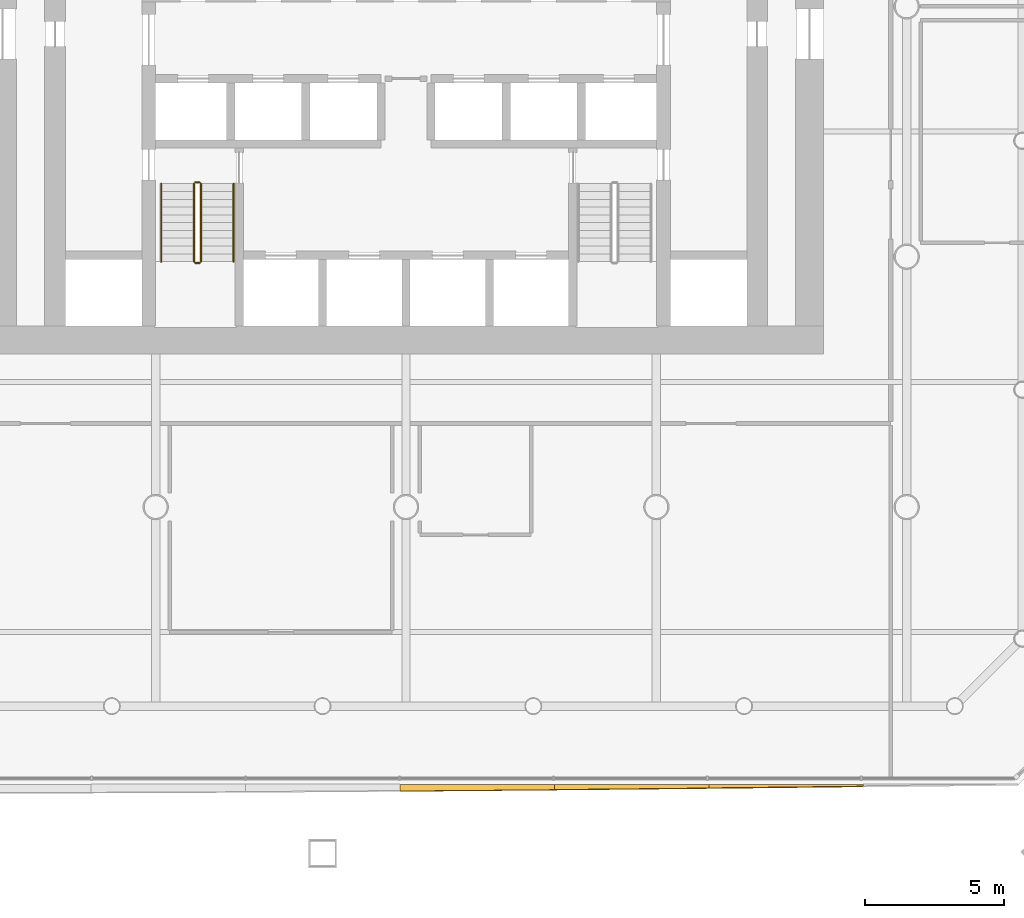
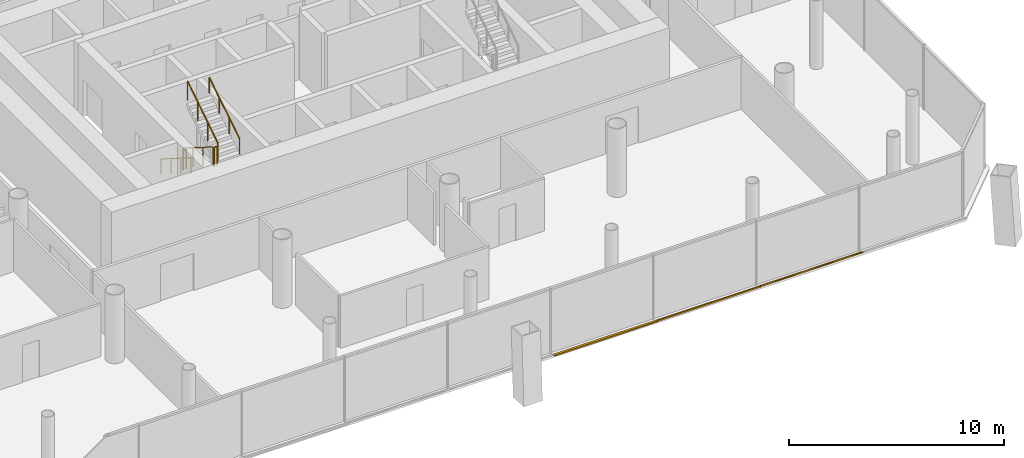
# One storey, part 19 of 22: 6 railings, 3 shading devices.
"""IFC4 building model written with IfcOpenShell, lengths in metres."""

from ifc_helpers import new_model, si_unit, direction, frame, origin, origin_2d, place, context, subcontext, project, spatial, polyline, circle, outline, extrude, material, layer, layer_set, type_object, element, save


model = new_model("IFC4")

# Units and contexts
model_context = context("Model", 3, precision=1e-05, world=origin(), true_north=direction((0.0, 1.0)))
body_context = subcontext(model_context, "Body", "Model", "MODEL_VIEW")
ifc_project = project(units=[si_unit("LENGTHUNIT", "METRE"), si_unit("AREAUNIT", "SQUARE_METRE"), si_unit("VOLUMEUNIT", "CUBIC_METRE"), si_unit("PLANEANGLEUNIT", "RADIAN"), si_unit("MASSUNIT", "GRAM", prefix="KILO")], contexts=[model_context])

# Site, building, storey
site_placement = place(None, origin())
site = spatial("IfcSite", under=ifc_project, at=site_placement, CompositionType="ELEMENT")
building_placement = place(site_placement, origin())
building = spatial("IfcBuilding", under=site, at=building_placement, Name="Tskaro Facet Tower", CompositionType="ELEMENT")
storey_placement = place(building_placement, frame((0.0, 0.0, 18.60009765625)))
storey = spatial("IfcBuildingStorey", under=building, at=storey_placement, Name="L03", CompositionType="ELEMENT", Elevation=18.60009765625)

# Shading devices
ifc_material_1 = material(Name="Bronze anodised aluminium 6063-T6", Category="aluminium")
ifc_layer = layer(ifc_material_1, 0.06005859375, Name="Bronze anodised aluminium 6063-T6")
ifc_layer_set = layer_set([ifc_layer], Name="Bronze anodised aluminium 6063-T6")
shading_device_type = type_object("IfcShadingDeviceType", Name="Bronze sun blade (FN1)", PredefinedType="USERDEFINED", material=ifc_layer_set)
shading_device_1_placement = place(storey_placement, frame((-0.22216796875, -27.9794921875, 0.056396484375), z_axis=(-3.31219e-06, 0.341654066702, 0.939825781033), x_axis=(0.999999999995, 1.131623e-06, 3.112882e-06)))
element("IfcShadingDevice", 1, at=shading_device_1_placement, inside=storey, type_object=shading_device_type, Name="Fin blade south 6", ObjectType="FIN", PredefinedType="USERDEFINED", context=body_context, shape_type="SweptSolid", body=[
    extrude(outline(polyline([(0.0, 0.0), (5.555419921844527, 0.0), (5.555419921905474, -0.19431630624030344), (4.8610839840659565, -0.2010327019696337), (4.166503906361419, -0.20783250933634292), (3.4721679687981757, -0.21431945541209935), (2.7778320312349325, -0.2208064014878558), (2.083251953322965, -0.22706389791003842), (1.3889160155522913, -0.23300853304126823), (0.6943359374328939, -0.2387237185189242), (-6.150489530071431e-11, -0.2444389039965802), (0.0, 0.0)])), origin(), (0.0, 0.0, -1.0), 0.06005859375),
])
shading_device_2_placement = place(storey_placement, frame((5.333251953125, -27.974609375, 0.05419921875), z_axis=(9.3866e-08, 0.423021886928, 0.906119464077), x_axis=(1.0, -3.9707e-08, -8.5054e-08)))
element("IfcShadingDevice", 2, at=shading_device_2_placement, inside=storey, type_object=shading_device_type, Name="Fin blade south 7", ObjectType="FIN", PredefinedType="USERDEFINED", context=body_context, shape_type="SweptSolid", body=[
    extrude(outline(polyline([(0.0, 0.0), (5.555664062499976, 0.0), (5.5556640625061045, -0.13980646935857793), (4.8610839843701505, -0.14821345951734713), (4.16674804688134, -0.15597145487582076), (3.4724121093814566, -0.1640539476344422), (2.77783203124688, -0.1719152198207791), (2.0834960937483737, -0.1794519946069682), (1.3889160156248677, -0.1869887693931573), (0.6945800781166672, -0.1943043236070619), (4.232196421260955e-12, -0.2015166009931032), (0.0, 0.0)])), origin(), (0.0, 0.0, -1.0), 0.06005859375),
])
shading_device_3_placement = place(storey_placement, frame((10.888916015625, -27.969970703125, 0.0517578125), z_axis=(-7.958684e-06, 0.500771247178, 0.865579665852), x_axis=(0.999999999968, 3.98548e-06, 6.888875e-06)))
element("IfcShadingDevice", 3, at=shading_device_3_placement, inside=storey, type_object=shading_device_type, Name="Fin blade south 8", ObjectType="FIN", PredefinedType="USERDEFINED", context=body_context, shape_type="SweptSolid", body=[
    extrude(outline(polyline([(0.0, 0.0), (5.555419921699058, 0.0), (5.5554199218819305, -0.07503978593549236), (4.8610839842495706, -0.08433636373595714), (4.166748047590228, -0.09342161837580687), (3.472167968624038, -0.1023846144103846), (2.7778320302828416, -0.11134761044496233), (2.0832519529985065, -0.12043286508481205), (1.3889160156303273, -0.12918453795877471), (0.6943359376371557, -0.1379362108327374), (-4.398601599493518e-10, -0.146354301940813), (0.0, 0.0)])), origin(), (0.0, 0.0, -1.0), 0.06005859375),
])

# Railings
ifc_material_2 = material(Name="Stainless steel", Category="steel")
railing_type_1 = type_object("IfcRailingType", Name="RL-GUARD-1100", PredefinedType="GUARDRAIL", material=ifc_material_2)
railing_1_placement = place(storey_placement, frame((-7.625, -6.375, 0.17724609375)))
element("IfcRailing", 4, at=railing_1_placement, inside=storey, type_object=railing_type_1, Name="L03 ST-1 stair guard 1", PredefinedType="GUARDRAIL", context=body_context, shape_type="SweptSolid", body=[
    extrude(circle(Radius=0.02392578125, at=origin_2d()), frame((0.0, 0.0, 1.076171875), z_axis=(0.0, -0.844908973607, 0.534910110503), x_axis=(1.0, 0.0, 0.0)), (0.0, 0.0, 1.0), 3.31396484375),
    extrude(circle(Radius=0.02099609375, at=origin_2d()), origin(), (0.0, 0.0, 1.0), 1.052001953125),
    extrude(circle(Radius=0.02099609375, at=origin_2d()), frame((0.0, -0.933349609375, 0.5908203125)), (0.0, 0.0, 1.0), 1.052001953125),
    extrude(circle(Radius=0.02099609375, at=origin_2d()), frame((0.0, -1.86669921875, 1.181884765625)), (0.0, 0.0, 1.0), 1.052001953125),
    extrude(circle(Radius=0.02099609375, at=origin_2d()), frame((0.0, -2.800048828125, 1.772705078125)), (0.0, 0.0, 1.0), 1.052001953125),
])
railing_2_placement = place(storey_placement, frame((-7.574951171875, -9.22509765625, 1.949951171875)))
element("IfcRailing", 5, at=railing_2_placement, inside=storey, type_object=railing_type_1, Name="L03 ST-1 stair guard 2", PredefinedType="GUARDRAIL", context=body_context, shape_type="SweptSolid", body=[
    extrude(circle(Radius=0.02392578125, at=origin_2d()), frame((0.0, 0.0, 1.076171875), z_axis=(1.0, 0.0, 0.0), x_axis=(0.0, 1.0, 0.0)), (0.0, 0.0, 1.0), 0.14990234375),
    extrude(circle(Radius=0.02099609375, at=origin_2d()), origin(), (0.0, 0.0, 1.0), 1.052001953125),
    extrude(circle(Radius=0.02099609375, at=origin_2d()), frame((0.14990234375, 0.0, 0.0)), (0.0, 0.0, 1.0), 1.052001953125),
])
railing_3_placement = place(storey_placement, frame((-7.375, -9.175048828125, 2.127197265625)))
element("IfcRailing", 6, at=railing_3_placement, inside=storey, type_object=railing_type_1, Name="L03 ST-1 stair guard 3", PredefinedType="GUARDRAIL", context=body_context, shape_type="SweptSolid", body=[
    extrude(circle(Radius=0.02392578125, at=origin_2d()), frame((0.0, 0.0, 1.076171875), z_axis=(0.0, 0.844908973607, 0.534910110503), x_axis=(-1.0, 0.0, 0.0)), (0.0, 0.0, 1.0), 3.31396484375),
    extrude(circle(Radius=0.02099609375, at=origin_2d()), origin(), (0.0, 0.0, 1.0), 1.052001953125),
    extrude(circle(Radius=0.02099609375, at=origin_2d()), frame((0.0, 0.933349609375, 0.5908203125)), (0.0, 0.0, 1.0), 1.052001953125),
    extrude(circle(Radius=0.02099609375, at=origin_2d()), frame((0.0, 1.86669921875, 1.181884765625)), (0.0, 0.0, 1.0), 1.052001953125),
    extrude(circle(Radius=0.02099609375, at=origin_2d()), frame((0.0, 2.800048828125, 1.772705078125)), (0.0, 0.0, 1.0), 1.052001953125),
])
railing_4_placement = place(storey_placement, frame((-7.574951171875, -6.324951171875, 0.0)))
element("IfcRailing", 7, at=railing_4_placement, inside=storey, type_object=railing_type_1, Name="L03 ST-1 stair guard 4", PredefinedType="GUARDRAIL", context=body_context, shape_type="SweptSolid", body=[
    extrude(circle(Radius=0.02392578125, at=origin_2d()), frame((0.0, 0.0, 1.076171875), z_axis=(1.0, 0.0, 0.0), x_axis=(0.0, 1.0, 0.0)), (0.0, 0.0, 1.0), 0.14990234375),
    extrude(circle(Radius=0.02099609375, at=origin_2d()), origin(), (0.0, 0.0, 1.0), 1.052001953125),
    extrude(circle(Radius=0.02099609375, at=origin_2d()), frame((0.14990234375, 0.0, 0.0)), (0.0, 0.0, 1.0), 1.052001953125),
])
railing_type_2 = type_object("IfcRailingType", Name="RL-HANDRAIL-900", PredefinedType="HANDRAIL", material=ifc_material_2)
railing_5_placement = place(storey_placement, frame((-8.800048828125, -6.375, 0.17724609375)))
element("IfcRailing", 8, at=railing_5_placement, inside=storey, type_object=railing_type_2, Name="L03 ST-1 stair handrail 1", PredefinedType="HANDRAIL", context=body_context, shape_type="SweptSolid", body=[
    extrude(circle(Radius=0.02392578125, at=origin_2d()), frame((0.0, 0.0, 0.8759765625), z_axis=(0.0, -0.844908973607, 0.534910110503), x_axis=(1.0, 0.0, 0.0)), (0.0, 0.0, 1.0), 3.31396484375),
    extrude(circle(Radius=0.02099609375, at=origin_2d()), origin(), (0.0, 0.0, 1.0), 0.851806640625),
    extrude(circle(Radius=0.02099609375, at=origin_2d()), frame((0.0, -0.933349609375, 0.5908203125)), (0.0, 0.0, 1.0), 0.851806640625),
    extrude(circle(Radius=0.02099609375, at=origin_2d()), frame((0.0, -1.86669921875, 1.181884765625)), (0.0, 0.0, 1.0), 0.851806640625),
    extrude(circle(Radius=0.02099609375, at=origin_2d()), frame((0.0, -2.800048828125, 1.772705078125)), (0.0, 0.0, 1.0), 0.851806640625),
])
railing_6_placement = place(storey_placement, frame((-6.199951171875, -9.175048828125, 2.127197265625)))
element("IfcRailing", 9, at=railing_6_placement, inside=storey, type_object=railing_type_2, Name="L03 ST-1 stair handrail 2", PredefinedType="HANDRAIL", context=body_context, shape_type="SweptSolid", body=[
    extrude(circle(Radius=0.02392578125, at=origin_2d()), frame((0.0, 0.0, 0.8759765625), z_axis=(0.0, 0.844908973607, 0.534910110503), x_axis=(-1.0, 0.0, 0.0)), (0.0, 0.0, 1.0), 3.31396484375),
    extrude(circle(Radius=0.02099609375, at=origin_2d()), origin(), (0.0, 0.0, 1.0), 0.851806640625),
    extrude(circle(Radius=0.02099609375, at=origin_2d()), frame((0.0, 0.933349609375, 0.5908203125)), (0.0, 0.0, 1.0), 0.851806640625),
    extrude(circle(Radius=0.02099609375, at=origin_2d()), frame((0.0, 1.86669921875, 1.181884765625)), (0.0, 0.0, 1.0), 0.851806640625),
    extrude(circle(Radius=0.02099609375, at=origin_2d()), frame((0.0, 2.800048828125, 1.772705078125)), (0.0, 0.0, 1.0), 0.851806640625),
])

save(model, "model.ifc")
